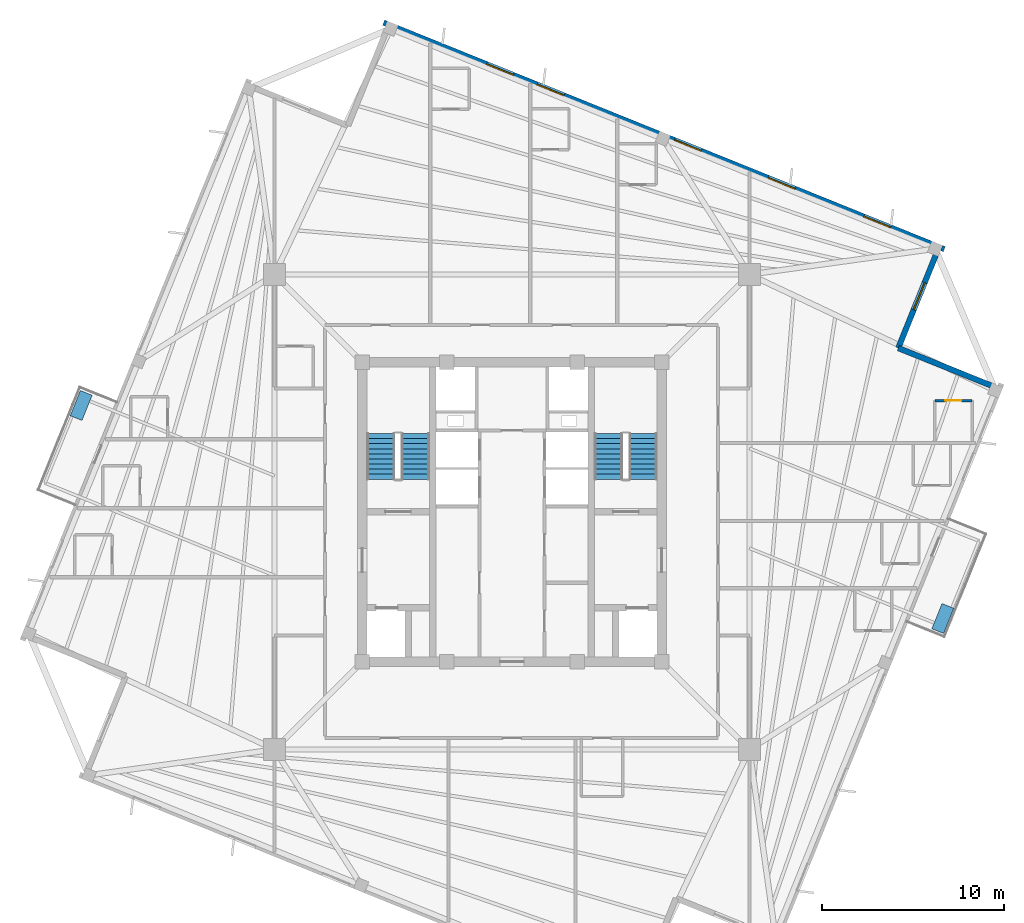
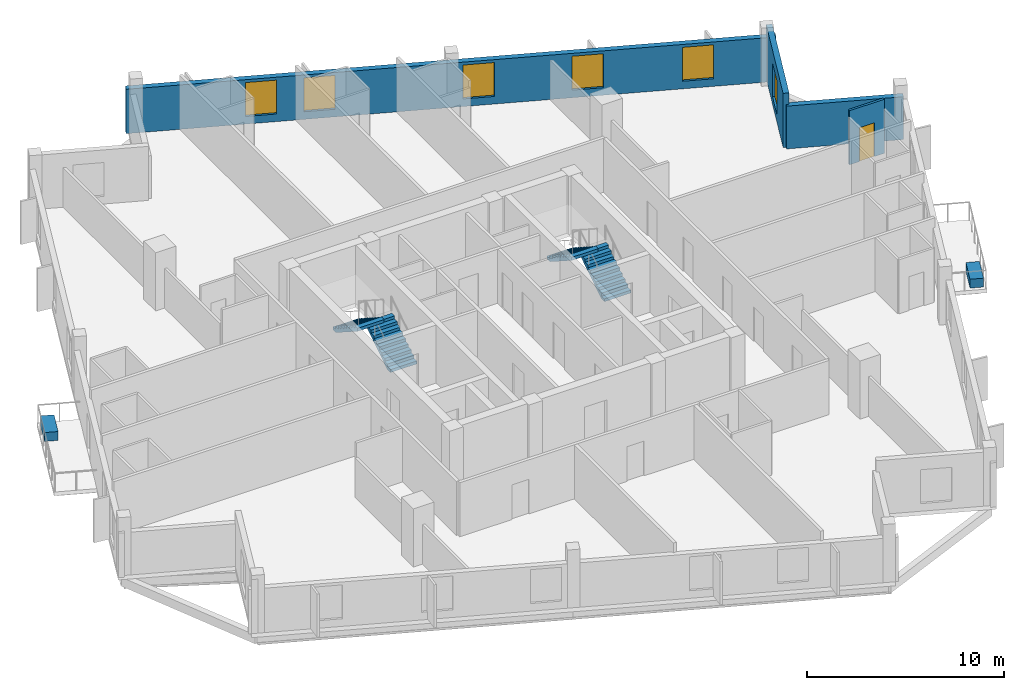
# One storey, part 6 of 9: 6 windows, 4 stair flights, 4 walls, 2 discrete accessories, 1 door, 7 openings, 2 elements without a shape of their own.
"""IFC4 building model written with IfcOpenShell, lengths in metres."""

from ifc_helpers import new_model, si_unit, direction, frame, frame_2d, origin, origin_2d, place, context, subcontext, project, spatial, polyline, rectangle, outline, extrude, source, transform, mapped, material, layer, layer_set, type_object, element, fill, aggregate, save


model = new_model("IFC4")

# Units and contexts
model_context = context("Model", 3, precision=1e-05, world=origin(), true_north=direction((0.0, 1.0)))
body_context = subcontext(model_context, "Body", "Model", "MODEL_VIEW")
ifc_project = project(units=[si_unit("LENGTHUNIT", "METRE"), si_unit("AREAUNIT", "SQUARE_METRE"), si_unit("VOLUMEUNIT", "CUBIC_METRE"), si_unit("PLANEANGLEUNIT", "RADIAN"), si_unit("MASSUNIT", "GRAM", prefix="KILO"), si_unit("THERMODYNAMICTEMPERATUREUNIT", "KELVIN")], contexts=[model_context])

# Site, building, storey
site_placement = place(None, origin())
site = spatial("IfcSite", under=ifc_project, at=site_placement, CompositionType="ELEMENT")
building_placement = place(site_placement, origin())
building = spatial("IfcBuilding", under=site, at=building_placement, Name="Kosmvard Interchange Tower", CompositionType="ELEMENT")
storey_placement = place(building_placement, frame((0.0, 0.0, 301.199951171875)))
storey = spatial("IfcBuildingStorey", under=building, at=storey_placement, Name="L74", CompositionType="ELEMENT", Elevation=301.199951171875)

# Wall
ifc_material_1 = material(Name="Precast concrete C45/55", Category="concrete")
ifc_layer_1 = layer(ifc_material_1, 0.31005859375, Name="Precast concrete C45/55")
ifc_layer_set_1 = layer_set([ifc_layer_1], Name="Precast concrete C45/55")
wall_type_1 = type_object("IfcWallType", Name="Upper Tower Precast Pier Wall 310 C45/55", PredefinedType="STANDARD", material=ifc_layer_set_1)
wall_1_placement = place(storey_placement, frame((26.8408203125, 6.7841796875, 0.0), z_axis=(0.0, 0.0, 1.0), x_axis=(-0.927171722085, 0.374636620962, 0.0)))
element("IfcWall", 1, at=wall_1_placement, inside=storey, type_object=wall_type_1, Name="L74 Precast Facade Wall N-SE1", PredefinedType="STANDARD", context=body_context, shape_type="SweptSolid", body=[
    extrude(rectangle(XDim=6.0, YDim=0.31005859375, at=frame_2d((3.0, 0.0))), origin(), (0.0, 0.0, 1.0), 2.650146484375),
])

# Wall, opening, window
wall_2_placement = place(storey_placement, frame((21.27783203125, 9.031982421875, 0.0), z_axis=(0.0, 0.0, 1.0), x_axis=(0.374602739196, 0.927185411764, 0.0)))
wall_2 = element("IfcWall", 2, at=wall_2_placement, inside=storey, type_object=wall_type_1, Name="L74 Precast Facade Wall N-SE2", PredefinedType="STANDARD", context=body_context, shape_type="SweptSolid", body=[
    extrude(rectangle(XDim=6.155029296875, YDim=0.31005859375, at=frame_2d((3.07763671875, 0.0))), origin(), (0.0, 0.0, 1.0), 3.35009765625),
])
opening_1_placement = place(wall_2_placement, frame((2.277587890625, 0.0, 0.469970703125)))
opening_1 = element("IfcOpeningElement", 3, at=opening_1_placement, cuts=wall_2, Name="Opening L74-W19", PredefinedType="OPENING", context=body_context, shape_type="SweptSolid", body=[
    extrude(rectangle(XDim=1.60009765625, YDim=2.10009765625, at=frame_2d((0.800048828125, 1.050048828125))), frame((0.0, 0.1650390625, 0.0), z_axis=(0.0, -1.0, 0.0), x_axis=(1.0, 0.0, 0.0)), (0.0, 0.0, 1.0), 0.330078125),
])
ifc_material_2 = material(Name="Low-E acoustic double glazing", Category="glass")
window_type = type_object("IfcWindowType", Name="Zone 5 Hotel Punched Window 1600x2100", PartitioningType="SINGLE_PANEL", PredefinedType="WINDOW", material=ifc_material_2)
shared_shape_1 = source(origin(), body_context, "Body", "SweptSolid", [
    extrude(rectangle(XDim=1.60009765625, YDim=2.10009765625, at=frame_2d((0.800048828125, 1.050048828125))), frame((0.0, 0.030029296875, 0.0), z_axis=(0.0, -1.0, 0.0), x_axis=(1.0, 0.0, 0.0)), (0.0, 0.0, 1.0), 0.06005859375),
])
window_1_placement = place(opening_1_placement, origin())
window_1 = element("IfcWindow", 4, at=window_1_placement, inside=storey, type_object=window_type, Name="L74 Corner Notch Window 19", OverallHeight=2.10009765625, OverallWidth=1.60009765625, PartitioningType="SINGLE_PANEL", PredefinedType="WINDOW", context=body_context, shape_type="MappedRepresentation", body=[
    mapped(shared_shape_1, transform((0.0, 0.0, 0.0), scale=1.0)),
])
fill(opening_1, window_1)

# Wall, openings, windows
wall_3_placement = place(storey_placement, frame((23.812744140625, 14.478759765625, 0.0), z_axis=(0.0, 0.0, 1.0), x_axis=(-0.927182657188, 0.374609557019, 0.0)))
wall_3 = element("IfcWall", 5, at=wall_3_placement, inside=storey, type_object=wall_type_1, Name="L74 Precast Facade Wall F-E", PredefinedType="STANDARD", context=body_context, shape_type="SweptSolid", body=[
    extrude(rectangle(XDim=33.31005859375, YDim=0.31005859375, at=frame_2d((16.655029296875, 0.0))), origin(), (0.0, 0.0, 1.0), 2.75),
])
opening_2_placement = place(wall_3_placement, frame((3.197265625, 0.0, 0.469970703125)))
opening_2 = element("IfcOpeningElement", 6, at=opening_2_placement, cuts=wall_3, Name="Opening L74-W05", PredefinedType="OPENING", context=body_context, shape_type="SweptSolid", body=[
    extrude(rectangle(XDim=1.60009765625, YDim=2.10009765625, at=frame_2d((0.800048828125, 1.050048828125))), frame((0.0, 0.1650390625, 0.0), z_axis=(0.0, -1.0, 0.0), x_axis=(1.0, 0.0, 0.0)), (0.0, 0.0, 1.0), 0.330078125),
])
opening_3_placement = place(wall_3_placement, frame((8.85986328125, 0.0, 0.469970703125)))
opening_3 = element("IfcOpeningElement", 7, at=opening_3_placement, cuts=wall_3, Name="Opening L74-W06", PredefinedType="OPENING", context=body_context, shape_type="SweptSolid", body=[
    extrude(rectangle(XDim=1.60009765625, YDim=2.10009765625, at=frame_2d((0.800048828125, 1.050048828125))), frame((0.0, 0.1650390625, 0.0), z_axis=(0.0, -1.0, 0.0), x_axis=(1.0, 0.0, 0.0)), (0.0, 0.0, 1.0), 0.330078125),
])
opening_4_placement = place(wall_3_placement, frame((14.438720703125, 0.0, 0.469970703125)))
opening_4 = element("IfcOpeningElement", 8, at=opening_4_placement, cuts=wall_3, Name="Opening L74-W07", PredefinedType="OPENING", context=body_context, shape_type="SweptSolid", body=[
    extrude(rectangle(XDim=1.60009765625, YDim=2.10009765625, at=frame_2d((0.800048828125, 1.050048828125))), frame((0.0, 0.1650390625, 0.0), z_axis=(0.0, -1.0, 0.0), x_axis=(1.0, 0.0, 0.0)), (0.0, 0.0, 1.0), 0.330078125),
])
opening_5_placement = place(wall_3_placement, frame((22.600830078125, 0.0, 0.469970703125)))
opening_5 = element("IfcOpeningElement", 9, at=opening_5_placement, cuts=wall_3, Name="Opening L74-W08", PredefinedType="OPENING", context=body_context, shape_type="SweptSolid", body=[
    extrude(rectangle(XDim=1.60009765625, YDim=2.10009765625, at=frame_2d((0.800048828125, 1.050048828125))), frame((0.0, 0.1650390625, 0.0), z_axis=(0.0, -1.0, 0.0), x_axis=(1.0, 0.0, 0.0)), (0.0, 0.0, 1.0), 0.330078125),
])
opening_6_placement = place(wall_3_placement, frame((25.5966796875, 0.0, 0.469970703125)))
opening_6 = element("IfcOpeningElement", 10, at=opening_6_placement, cuts=wall_3, Name="Opening L74-W09", PredefinedType="OPENING", context=body_context, shape_type="SweptSolid", body=[
    extrude(rectangle(XDim=1.60009765625, YDim=2.10009765625, at=frame_2d((0.800048828125, 1.050048828125))), frame((0.0, 0.1650390625, 0.0), z_axis=(0.0, -1.0, 0.0), x_axis=(1.0, 0.0, 0.0)), (0.0, 0.0, 1.0), 0.330078125),
])
window_2_placement = place(opening_2_placement, origin())
window_2 = element("IfcWindow", 11, at=window_2_placement, inside=storey, type_object=window_type, Name="L74 Facade Punched Window 05", OverallHeight=2.10009765625, OverallWidth=1.60009765625, PartitioningType="SINGLE_PANEL", PredefinedType="WINDOW", context=body_context, shape_type="MappedRepresentation", body=[
    mapped(shared_shape_1, transform((0.0, 0.0, 0.0), scale=1.0)),
])
fill(opening_2, window_2)
window_3_placement = place(opening_3_placement, origin())
window_3 = element("IfcWindow", 12, at=window_3_placement, inside=storey, type_object=window_type, Name="L74 Facade Punched Window 06", OverallHeight=2.10009765625, OverallWidth=1.60009765625, PartitioningType="SINGLE_PANEL", PredefinedType="WINDOW", context=body_context, shape_type="MappedRepresentation", body=[
    mapped(shared_shape_1, transform((0.0, 0.0, 0.0), scale=1.0)),
])
fill(opening_3, window_3)
window_4_placement = place(opening_4_placement, origin())
window_4 = element("IfcWindow", 13, at=window_4_placement, inside=storey, type_object=window_type, Name="L74 Facade Punched Window 07", OverallHeight=2.10009765625, OverallWidth=1.60009765625, PartitioningType="SINGLE_PANEL", PredefinedType="WINDOW", context=body_context, shape_type="MappedRepresentation", body=[
    mapped(shared_shape_1, transform((0.0, 0.0, 0.0), scale=1.0)),
])
fill(opening_4, window_4)
window_5_placement = place(opening_5_placement, origin())
window_5 = element("IfcWindow", 14, at=window_5_placement, inside=storey, type_object=window_type, Name="L74 Facade Punched Window 08", OverallHeight=2.10009765625, OverallWidth=1.60009765625, PartitioningType="SINGLE_PANEL", PredefinedType="WINDOW", context=body_context, shape_type="MappedRepresentation", body=[
    mapped(shared_shape_1, transform((0.0, 0.0, 0.0), scale=1.0)),
])
fill(opening_5, window_5)
window_6_placement = place(opening_6_placement, origin())
window_6 = element("IfcWindow", 15, at=window_6_placement, inside=storey, type_object=window_type, Name="L74 Facade Punched Window 09", OverallHeight=2.10009765625, OverallWidth=1.60009765625, PartitioningType="SINGLE_PANEL", PredefinedType="WINDOW", context=body_context, shape_type="MappedRepresentation", body=[
    mapped(shared_shape_1, transform((0.0, 0.0, 0.0), scale=1.0)),
])
fill(opening_6, window_6)

# Wall, opening, door
ifc_material_3 = material(Name="Moisture-resistant gypsum partition")
ifc_layer_2 = layer(ifc_material_3, 0.135009765625, Name="Moisture-resistant gypsum partition")
ifc_layer_set_2 = layer_set([ifc_layer_2], Name="Moisture-resistant gypsum partition")
wall_type_2 = type_object("IfcWallType", Name="Wet Room Moisture-Resistant Partition 135", PredefinedType="PARTITIONING", material=ifc_layer_set_2)
wall_4_placement = place(storey_placement, frame((23.29150390625, 6.139892578125, 0.0), z_axis=(0.0, 0.0, 1.0), x_axis=(1.0, 0.0, 0.0)))
wall_4 = element("IfcWall", 16, at=wall_4_placement, inside=storey, type_object=wall_type_2, Name="L74 En-Suite Partition HCS2-N", PredefinedType="PARTITIONING", context=body_context, shape_type="SweptSolid", body=[
    extrude(rectangle(XDim=2.050048828125, YDim=0.135009765625, at=frame_2d((1.02490234375, 0.0))), origin(), (0.0, 0.0, 1.0), 3.35009765625),
])
opening_7_placement = place(wall_4_placement, frame((0.5849609375, 0.0, 0.0)))
opening_7 = element("IfcOpeningElement", 17, at=opening_7_placement, cuts=wall_4, Name="Opening L74-ED15", PredefinedType="OPENING", context=body_context, shape_type="SweptSolid", body=[
    extrude(rectangle(XDim=0.8798828125, YDim=2.10009765625, at=frame_2d((0.43994140625, 1.050048828125))), frame((0.0, 0.07763671875, 0.0), z_axis=(0.0, -1.0, 0.0), x_axis=(1.0, 0.0, 0.0)), (0.0, 0.0, 1.0), 0.155029296875),
])
ifc_material_4 = material(Name="Laminated moisture-resistant timber", Category="wood")
door_type = type_object("IfcDoorType", Name="En-Suite & Washroom Door 880x2100", OperationType="NOTDEFINED", PredefinedType="DOOR", material=ifc_material_4)
shared_shape_2 = source(origin(), body_context, "Body", "SweptSolid", [
    extrude(rectangle(XDim=0.8798828125, YDim=2.10009765625, at=frame_2d((0.43994140625, 1.050048828125))), frame((0.0, 0.02490234375, 0.0), z_axis=(0.0, -1.0, 0.0), x_axis=(1.0, 0.0, 0.0)), (0.0, 0.0, 1.0), 0.050048828125),
])
door_placement = place(opening_7_placement, frame((0.8798828125, 0.0, 0.0), z_axis=(0.0, 0.0, 1.0), x_axis=(-1.0, 0.0, 0.0)))
door = element("IfcDoor", 18, at=door_placement, inside=storey, type_object=door_type, Name="L74 HCS2 En-Suite Door", OperationType="SINGLE_SWING_RIGHT", OverallHeight=2.10009765625, OverallWidth=0.8798828125, PredefinedType="DOOR", context=body_context, shape_type="MappedRepresentation", body=[
    mapped(shared_shape_2, transform((0.0, 0.0, 0.0), scale=1.0)),
])
fill(opening_7, door)

# Stair, stair flights
ifc_material_5 = material(Name="Concrete C50/60", Category="concrete")
stair_type = type_object("IfcStairType", Name="Dog-Leg Core Exit Stair H3600 C50/60", PredefinedType="HALF_TURN_STAIR", material=ifc_material_5)
stair_1_placement = place(storey_placement, origin())
stair_1 = element("IfcStair", 19, at=stair_1_placement, inside=storey, type_object=stair_type, Name="L74 Protected Exit Stair ST-1", PredefinedType="HALF_TURN_STAIR")
stair_flight_type = type_object("IfcStairFlightType", Name="Core Stair Flight W1550 H3600 C50/60", PredefinedType="STRAIGHT", material=ifc_material_5)
shared_shape_3 = source(origin(), body_context, "Body", "SweptSolid", [
    extrude(outline(polyline([(0.0, 0.0), (0.0, 0.179931640625), (0.280029296875, 0.179931640625), (0.280029296875, 0.360107421875), (0.56005859375, 0.360107421875), (0.56005859375, 0.5400390625), (0.840087890625, 0.5400390625), (0.840087890625, 0.719970703125), (1.1201171875, 0.719970703125), (1.1201171875, 0.89990234375), (1.39990234375, 0.89990234375), (1.39990234375, 1.080078125), (1.679931640625, 1.080078125), (1.679931640625, 1.260009765625), (1.9599609375, 1.260009765625), (1.9599609375, 1.43994140625), (2.239990234375, 1.43994140625), (2.239990234375, 1.6201171875), (2.52001953125, 1.6201171875), (2.52001953125, 1.800048828125), (2.52001953125, 1.429931640625), (0.295654296875, 0.0), (0.0, 0.0)])), frame((0.0, 0.77490234375, 0.0), z_axis=(0.0, -1.0, 0.0), x_axis=(1.0, 0.0, 0.0)), (0.0, 0.0, 1.0), 1.550048828125),
])
stair_flight_1_placement = place(storey_placement, frame((-5.31494140625, 1.800048828125, 0.0), z_axis=(0.0, 0.0, 1.0), x_axis=(0.0, 1.0, 0.0)))
stair_flight_1 = element("IfcStairFlight", 20, at=stair_flight_1_placement, type_object=stair_flight_type, Name="ST-1 flight 1", NumberOfRisers=10, NumberOfTreads=9, PredefinedType="STRAIGHT", RiserHeight=0.18, TreadLength=0.28, context=body_context, shape_type="MappedRepresentation", body=[
    mapped(shared_shape_3, transform((0.0, 0.0, 0.0), scale=1.0)),
])
stair_flight_2_placement = place(storey_placement, frame((-7.22509765625, 4.320068359375, 1.800048828125), z_axis=(0.0, 0.0, 1.0), x_axis=(0.0, -1.0, 0.0)))
stair_flight_2 = element("IfcStairFlight", 21, at=stair_flight_2_placement, type_object=stair_flight_type, Name="ST-1 flight 2", NumberOfRisers=10, NumberOfTreads=9, PredefinedType="STRAIGHT", RiserHeight=0.18, TreadLength=0.28, context=body_context, shape_type="MappedRepresentation", body=[
    mapped(shared_shape_3, transform((0.0, 0.0, 0.0), scale=1.0)),
])
aggregate(stair_1, [stair_flight_1, stair_flight_2])

stair_2_placement = place(storey_placement, origin())
stair_2 = element("IfcStair", 22, at=stair_2_placement, inside=storey, type_object=stair_type, Name="L74 Protected Exit Stair ST-2", PredefinedType="HALF_TURN_STAIR")
stair_flight_3_placement = place(storey_placement, frame((7.22509765625, 1.800048828125, 0.0), z_axis=(0.0, 0.0, 1.0), x_axis=(0.0, 1.0, 0.0)))
stair_flight_3 = element("IfcStairFlight", 23, at=stair_flight_3_placement, type_object=stair_flight_type, Name="ST-2 flight 1", NumberOfRisers=10, NumberOfTreads=9, PredefinedType="STRAIGHT", RiserHeight=0.18, TreadLength=0.28, context=body_context, shape_type="MappedRepresentation", body=[
    mapped(shared_shape_3, transform((0.0, 0.0, 0.0), scale=1.0)),
])
stair_flight_4_placement = place(storey_placement, frame((5.31494140625, 4.320068359375, 1.800048828125), z_axis=(0.0, 0.0, 1.0), x_axis=(0.0, -1.0, 0.0)))
stair_flight_4 = element("IfcStairFlight", 24, at=stair_flight_4_placement, type_object=stair_flight_type, Name="ST-2 flight 2", NumberOfRisers=10, NumberOfTreads=9, PredefinedType="STRAIGHT", RiserHeight=0.18, TreadLength=0.28, context=body_context, shape_type="MappedRepresentation", body=[
    mapped(shared_shape_3, transform((0.0, 0.0, 0.0), scale=1.0)),
])
aggregate(stair_2, [stair_flight_3, stair_flight_4])

# Discrete accessories
ifc_material_6 = material(Name="Terracotta precast planter concrete C45/55", Category="masonry")
discrete_accessory_type = type_object("IfcDiscreteAccessoryType", Name="Precast Tree-Balcony & Terrace Planter Box", PredefinedType="USERDEFINED", material=ifc_material_6)
shared_shape_4 = source(origin(), body_context, "Body", "SweptSolid", [
    extrude(rectangle(XDim=1.5, YDim=0.699951171875, at=origin_2d()), origin(), (0.0, 0.0, 1.0), 0.550048828125),
])
for number, where, z_axis, x_axis, name in (
    (25, (23.730224609375, -5.86669921875, 0.0), (0.0, 0.0, 1.0), (0.374606593416, 0.927183854567, 0.0), "L74 Balcony Tree Planter BAL-L74-SW"),
    (26, (-23.730224609375, 5.86669921875, 0.0), (0.0, 0.0, 1.0), (0.374606593416, 0.927183854567, 0.0), "L74 Balcony Tree Planter BAL-L74-NE"),
):
    element("IfcDiscreteAccessory", number, at=place(storey_placement, frame(where, z_axis=z_axis, x_axis=x_axis)), inside=storey, type_object=discrete_accessory_type, Name=name, ObjectType="PLANTER", PredefinedType="USERDEFINED", context=body_context, shape_type="MappedRepresentation", body=[
        mapped(shared_shape_4, transform((0.0, 0.0, 0.0), scale=1.0)),
    ])

save(model, "model.ifc")
